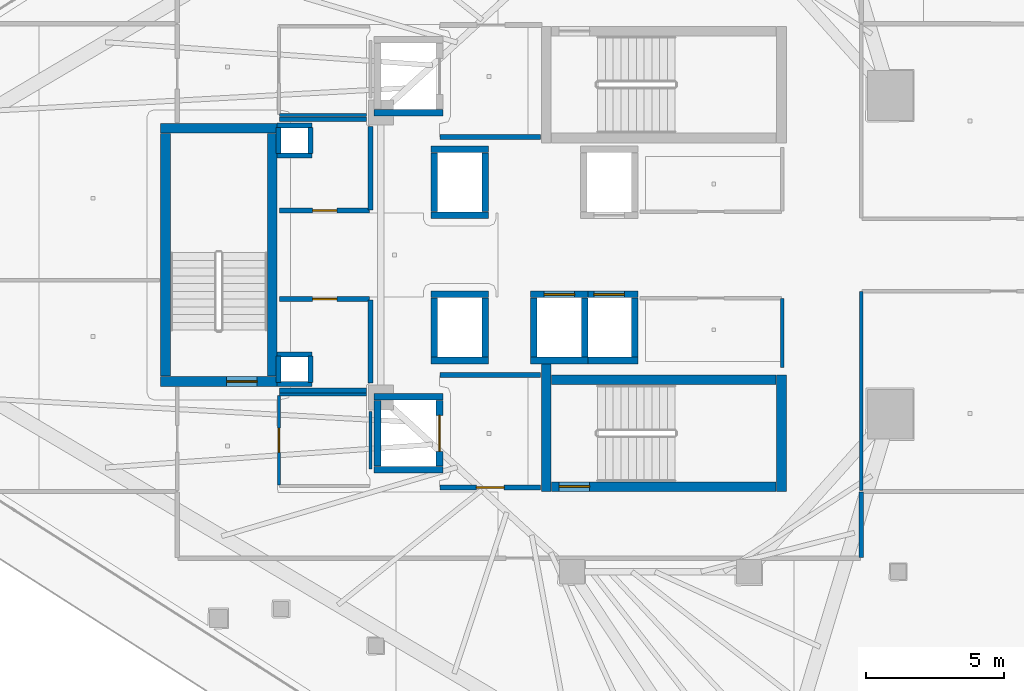
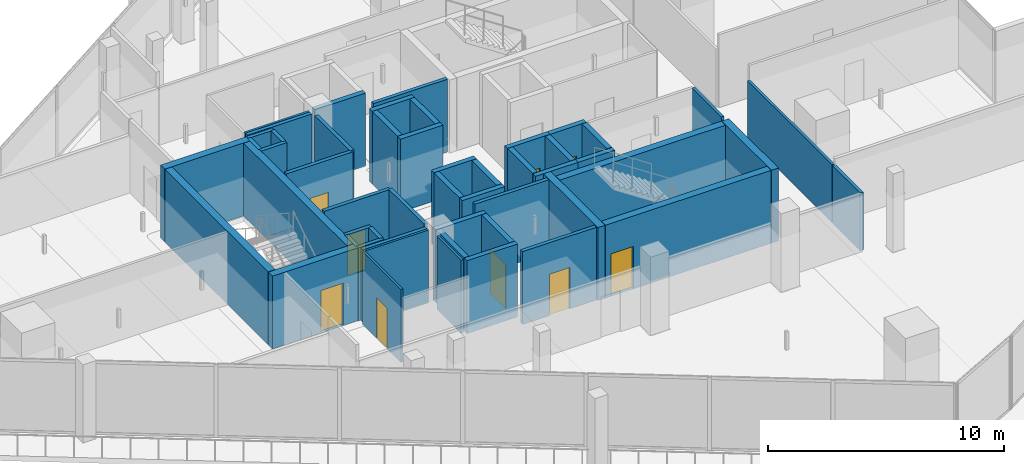
# One storey, part 21 of 30: 52 walls, 9 doors, 9 openings.
"""IFC4 building model written with IfcOpenShell, lengths in metres."""

from ifc_helpers import new_model, si_unit, direction, frame, frame_2d, origin, place, context, subcontext, project, spatial, rectangle, extrude, material, layer, layer_set, type_object, element, fill, save


model = new_model("IFC4")

# Units and contexts
model_context = context("Model", 3, precision=1e-05, world=origin(), true_north=direction((0.0, 1.0)))
body_context = subcontext(model_context, "Body", "Model", "MODEL_VIEW")
ifc_project = project(units=[si_unit("LENGTHUNIT", "METRE"), si_unit("AREAUNIT", "SQUARE_METRE"), si_unit("VOLUMEUNIT", "CUBIC_METRE"), si_unit("PLANEANGLEUNIT", "RADIAN"), si_unit("MASSUNIT", "GRAM", prefix="KILO")], contexts=[model_context])

# Site, building, storey
site_placement = place(None, origin())
site = spatial("IfcSite", under=ifc_project, at=site_placement, CompositionType="ELEMENT")
building_placement = place(site_placement, origin())
building = spatial("IfcBuilding", under=site, at=building_placement, Name="Qorvath Tower", CompositionType="ELEMENT")
storey_placement = place(building_placement, frame((0.0, 0.0, 217.199951171875)))
storey = spatial("IfcBuildingStorey", under=building, at=storey_placement, Name="L50", CompositionType="ELEMENT", Elevation=217.199951171875)

# Walls
ifc_material_1 = material(Name="Gypsum shaftliner on steel studs", Category="steel")
ifc_layer_1 = layer(ifc_material_1, 0.179931640625)
ifc_layer_set_1 = layer_set([ifc_layer_1], Name="FW-LOBBY")
wall_type_1 = type_object("IfcWallType", Name="FW-LOBBY", PredefinedType="PARTITIONING", material=ifc_layer_set_1)
for number, where, z_axis, x_axis, name in (
    (1, (-32.989990234375, 3.594970703125, 0.0), (0.0, 0.0, 1.0), (-1.0, 0.0, 0.0), "MEP Riser Shaft Enclosure Wall N-L50-S"),
    (2, (-34.260009765625, 4.675048828125, 0.0), (0.0, 0.0, 1.0), (1.0, 0.0, 0.0), "MEP Riser Shaft Enclosure Wall N-L50-N"),
):
    element("IfcWall", number, at=place(storey_placement, frame(where, z_axis=z_axis, x_axis=x_axis)), inside=storey, type_object=wall_type_1, Name=name, PredefinedType="PARTITIONING", context=body_context, shape_type="SweptSolid", body=[
        extrude(rectangle(XDim=1.27001953125, YDim=0.179931640625, at=frame_2d((0.635009765625, 0.0))), origin(), (0.0, 0.0, 1.0), 3.780029296875),
    ])
for number, where, z_axis, x_axis, name in (
    (3, (-34.205078125, 3.659912109375, 0.0), (0.0, 0.0, 1.0), (0.0, 1.0, 0.0), "MEP Riser Shaft Enclosure Wall N-L50-W"),
    (4, (-33.044921875, 4.610107421875, 0.0), (0.0, 0.0, 1.0), (0.0, -1.0, 0.0), "MEP Riser Shaft Enclosure Wall N-L50-E"),
):
    element("IfcWall", number, at=place(storey_placement, frame(where, z_axis=z_axis, x_axis=x_axis)), inside=storey, type_object=wall_type_1, Name=name, PredefinedType="PARTITIONING", context=body_context, shape_type="SweptSolid", body=[
        extrude(rectangle(XDim=0.9501953125, YDim=0.179931640625, at=frame_2d((0.47509765625, 0.0))), origin(), (0.0, 0.0, 1.0), 3.780029296875),
    ])
for number, where, z_axis, x_axis, name in (
    (5, (-32.989990234375, -4.675048828125, 0.0), (0.0, 0.0, 1.0), (-1.0, 0.0, 0.0), "MEP Riser Shaft Enclosure Wall S-L50-S"),
    (6, (-34.260009765625, -3.594970703125, 0.0), (0.0, 0.0, 1.0), (1.0, 0.0, 0.0), "MEP Riser Shaft Enclosure Wall S-L50-N"),
):
    element("IfcWall", number, at=place(storey_placement, frame(where, z_axis=z_axis, x_axis=x_axis)), inside=storey, type_object=wall_type_1, Name=name, PredefinedType="PARTITIONING", context=body_context, shape_type="SweptSolid", body=[
        extrude(rectangle(XDim=1.27001953125, YDim=0.179931640625, at=frame_2d((0.635009765625, 0.0))), origin(), (0.0, 0.0, 1.0), 3.780029296875),
    ])
for number, where, z_axis, x_axis, name in (
    (7, (-34.205078125, -4.610107421875, 0.0), (0.0, 0.0, 1.0), (0.0, 1.0, 0.0), "MEP Riser Shaft Enclosure Wall S-L50-W"),
    (8, (-33.044921875, -3.659912109375, 0.0), (0.0, 0.0, 1.0), (0.0, -1.0, 0.0), "MEP Riser Shaft Enclosure Wall S-L50-E"),
):
    element("IfcWall", number, at=place(storey_placement, frame(where, z_axis=z_axis, x_axis=x_axis)), inside=storey, type_object=wall_type_1, Name=name, PredefinedType="PARTITIONING", context=body_context, shape_type="SweptSolid", body=[
        extrude(rectangle(XDim=0.9501953125, YDim=0.179931640625, at=frame_2d((0.47509765625, 0.0))), origin(), (0.0, 0.0, 1.0), 3.780029296875),
    ])
wall_1_placement = place(storey_placement, frame((-28.35498046875, 4.25, 0.0), z_axis=(0.0, 0.0, 1.0), x_axis=(1.0, 0.0, 0.0)))
element("IfcWall", 9, at=wall_1_placement, inside=storey, type_object=wall_type_1, Name="Interior Partition IW-T1-L50-001", PredefinedType="PARTITIONING", context=body_context, shape_type="SweptSolid", body=[
    extrude(rectangle(XDim=3.6220703125, YDim=0.179931640625, at=frame_2d((1.81103515625, 0.0))), origin(), (0.0, 0.0, 1.0), 3.780029296875),
])

# Wall, opening, door
wall_2_placement = place(storey_placement, frame((-28.35498046875, -8.39990234375, 0.0), z_axis=(0.0, 0.0, 1.0), x_axis=(1.0, 0.0, 0.0)))
wall_2 = element("IfcWall", 10, at=wall_2_placement, inside=storey, type_object=wall_type_1, Name="Interior Partition IW-T1-L50-003", PredefinedType="PARTITIONING", context=body_context, shape_type="SweptSolid", body=[
    extrude(rectangle(XDim=3.6220703125, YDim=0.179931640625, at=frame_2d((1.81103515625, 0.0))), origin(), (0.0, 0.0, 1.0), 3.780029296875),
])
opening_1_placement = place(wall_2_placement, frame((1.31103515625, 0.0, 0.0)))
opening_1 = element("IfcOpeningElement", 11, at=opening_1_placement, cuts=wall_2, Name="Opening D-T1-L50-16", PredefinedType="OPENING", context=body_context, shape_type="SweptSolid", body=[
    extrude(rectangle(XDim=1.0, YDim=2.14990234375, at=frame_2d((0.5, 1.074951171875))), frame((0.0, 0.10009765625, 0.0), z_axis=(0.0, -1.0, 0.0), x_axis=(1.0, 0.0, 0.0)), (0.0, 0.0, 1.0), 0.199951171875),
])
ifc_material_2 = material(Name="Painted galvanised hollow metal", Category="steel")
door_type_1 = type_object("IfcDoorType", Name="FD-60", OperationType="NOTDEFINED", PredefinedType="DOOR", material=ifc_material_2)
door_1_placement = place(opening_1_placement, origin())
door_1 = element("IfcDoor", 12, at=door_1_placement, inside=storey, type_object=door_type_1, Name="Lobby Fire Service Elevator South Door D-T1-L50-16", OperationType="SINGLE_SWING_LEFT", OverallHeight=2.14990234375, OverallWidth=1.0, PredefinedType="DOOR", context=body_context, shape_type="SweptSolid", body=[
    extrude(rectangle(XDim=1.0, YDim=2.14990234375, at=frame_2d((0.5, 1.074951171875))), frame((0.0, 0.02490234375, 0.0), z_axis=(0.0, -1.0, 0.0), x_axis=(1.0, 0.0, 0.0)), (0.0, 0.0, 1.0), 0.050048828125),
])
fill(opening_1, door_1)

# Wall
wall_3_placement = place(storey_placement, frame((-24.73291015625, -4.35009765625, 0.0), z_axis=(0.0, 0.0, 1.0), x_axis=(-1.0, 0.0, 0.0)))
element("IfcWall", 13, at=wall_3_placement, inside=storey, type_object=wall_type_1, Name="Interior Partition IW-T1-L50-004", PredefinedType="PARTITIONING", context=body_context, shape_type="SweptSolid", body=[
    extrude(rectangle(XDim=3.6220703125, YDim=0.179931640625, at=frame_2d((1.81103515625, 0.0))), origin(), (0.0, 0.0, 1.0), 3.780029296875),
])

# Wall, opening, door
wall_4_placement = place(storey_placement, frame((-34.15478515625, 1.60009765625, 0.0), z_axis=(0.0, 0.0, 1.0), x_axis=(1.0, 0.0, 0.0)))
wall_4 = element("IfcWall", 14, at=wall_4_placement, inside=storey, type_object=wall_type_1, Name="Interior Partition IW-T1-L50-017", PredefinedType="PARTITIONING", context=body_context, shape_type="SweptSolid", body=[
    extrude(rectangle(XDim=3.25, YDim=0.179931640625, at=frame_2d((1.625, 0.0))), origin(), (0.0, 0.0, 1.0), 3.780029296875),
])
opening_2_placement = place(wall_4_placement, frame((1.18505859375, 0.0, 0.0)))
opening_2 = element("IfcOpeningElement", 15, at=opening_2_placement, cuts=wall_4, Name="Opening D-T1-L50-05", PredefinedType="OPENING", context=body_context, shape_type="SweptSolid", body=[
    extrude(rectangle(XDim=0.8798828125, YDim=2.10009765625, at=frame_2d((0.43994140625, 1.050048828125))), frame((0.0, 0.10009765625, 0.0), z_axis=(0.0, -1.0, 0.0), x_axis=(1.0, 0.0, 0.0)), (0.0, 0.0, 1.0), 0.199951171875),
])
ifc_material_3 = material(Name="Painted galvanised hollow metal", Category="steel")
door_type_2 = type_object("IfcDoorType", Name="FD-60N", OperationType="NOTDEFINED", PredefinedType="DOOR", material=ifc_material_3)
door_2_placement = place(opening_2_placement, origin())
door_2 = element("IfcDoor", 16, at=door_2_placement, inside=storey, type_object=door_type_2, Name="Core cleaner and custodial room L50 Door D-T1-L50-05", OperationType="SINGLE_SWING_RIGHT", OverallHeight=2.10009765625, OverallWidth=0.8798828125, PredefinedType="DOOR", context=body_context, shape_type="SweptSolid", body=[
    extrude(rectangle(XDim=0.8798828125, YDim=2.10009765625, at=frame_2d((0.43994140625, 1.050048828125))), frame((0.0, 0.02490234375, 0.0), z_axis=(0.0, -1.0, 0.0), x_axis=(1.0, 0.0, 0.0)), (0.0, 0.0, 1.0), 0.050048828125),
])
fill(opening_2, door_2)

# Walls
wall_5_placement = place(storey_placement, frame((-30.8798828125, 1.625, 0.0), z_axis=(0.0, 0.0, 1.0), x_axis=(0.0, 1.0, 0.0)))
element("IfcWall", 17, at=wall_5_placement, inside=storey, type_object=wall_type_1, Name="Interior Partition IW-T1-L50-018", PredefinedType="PARTITIONING", context=body_context, shape_type="SweptSolid", body=[
    extrude(rectangle(XDim=3.010009765625, YDim=0.179931640625, at=frame_2d((1.5048828125, 0.0))), origin(), (0.0, 0.0, 1.0), 3.780029296875),
])
for number, where, z_axis, x_axis, name in (
    (18, (-31.014892578125, 4.89990234375, 0.0), (0.0, 0.0, 1.0), (-1.0, 0.0, 0.0), "Interior Partition IW-T1-L50-019"),
    (19, (-34.15478515625, -4.89990234375, 0.0), (0.0, 0.0, 1.0), (1.0, 0.0, 0.0), "Interior Partition IW-T1-L50-020"),
):
    element("IfcWall", number, at=place(storey_placement, frame(where, z_axis=z_axis, x_axis=x_axis)), inside=storey, type_object=wall_type_1, Name=name, PredefinedType="PARTITIONING", context=body_context, shape_type="SweptSolid", body=[
        extrude(rectangle(XDim=3.139892578125, YDim=0.179931640625, at=frame_2d((1.56982421875, 0.0))), origin(), (0.0, 0.0, 1.0), 3.780029296875),
    ])
wall_6_placement = place(storey_placement, frame((-30.8798828125, -4.635009765625, 0.0), z_axis=(0.0, 0.0, 1.0), x_axis=(0.0, 1.0, 0.0)))
element("IfcWall", 20, at=wall_6_placement, inside=storey, type_object=wall_type_1, Name="Interior Partition IW-T1-L50-021", PredefinedType="PARTITIONING", context=body_context, shape_type="SweptSolid", body=[
    extrude(rectangle(XDim=3.010009765625, YDim=0.179931640625, at=frame_2d((1.5048828125, 0.0))), origin(), (0.0, 0.0, 1.0), 3.780029296875),
])

# Wall, opening, door
wall_7_placement = place(storey_placement, frame((-30.90478515625, -1.60009765625, 0.0), z_axis=(0.0, 0.0, 1.0), x_axis=(-1.0, 0.0, 0.0)))
wall_7 = element("IfcWall", 21, at=wall_7_placement, inside=storey, type_object=wall_type_1, Name="Interior Partition IW-T1-L50-022", PredefinedType="PARTITIONING", context=body_context, shape_type="SweptSolid", body=[
    extrude(rectangle(XDim=3.25, YDim=0.179931640625, at=frame_2d((1.625, 0.0))), origin(), (0.0, 0.0, 1.0), 3.780029296875),
])
opening_3_placement = place(wall_7_placement, frame((1.18505859375, 0.0, 0.0)))
opening_3 = element("IfcOpeningElement", 22, at=opening_3_placement, cuts=wall_7, Name="Opening D-T1-L50-06", PredefinedType="OPENING", context=body_context, shape_type="SweptSolid", body=[
    extrude(rectangle(XDim=0.8798828125, YDim=2.10009765625, at=frame_2d((0.43994140625, 1.050048828125))), frame((0.0, 0.10009765625, 0.0), z_axis=(0.0, -1.0, 0.0), x_axis=(1.0, 0.0, 0.0)), (0.0, 0.0, 1.0), 0.199951171875),
])
door_3_placement = place(opening_3_placement, origin())
door_3 = element("IfcDoor", 23, at=door_3_placement, inside=storey, type_object=door_type_2, Name="Core electrical room L50 Door D-T1-L50-06", OperationType="SINGLE_SWING_LEFT", OverallHeight=2.10009765625, OverallWidth=0.8798828125, PredefinedType="DOOR", context=body_context, shape_type="SweptSolid", body=[
    extrude(rectangle(XDim=0.8798828125, YDim=2.10009765625, at=frame_2d((0.43994140625, 1.050048828125))), frame((0.0, 0.02490234375, 0.0), z_axis=(0.0, -1.0, 0.0), x_axis=(1.0, 0.0, 0.0)), (0.0, 0.0, 1.0), 0.050048828125),
])
fill(opening_3, door_3)

# Walls
ifc_material_4 = material(Name="Double acoustic gypsum board on steel studs", Category="steel")
ifc_layer_2 = layer(ifc_material_4, 0.159912109375)
ifc_layer_set_2 = layer_set([ifc_layer_2], Name="IW-ACOUSTIC-160")
wall_type_2 = type_object("IfcWallType", Name="IW-ACOUSTIC-160", PredefinedType="PARTITIONING", material=ifc_layer_set_2)
wall_8_placement = place(storey_placement, frame((-13.14208984375, -10.93310546875, 0.0), z_axis=(0.0, 0.0, 1.0), x_axis=(0.0, 1.0, 0.0)))
element("IfcWall", 24, at=wall_8_placement, inside=storey, type_object=wall_type_2, Name="Interior Partition IW-T1-L50-033", PredefinedType="PARTITIONING", context=body_context, shape_type="SweptSolid", body=[
    extrude(rectangle(XDim=2.358154296875, YDim=0.159912109375, at=frame_2d((1.17919921875, 0.0))), origin(), (0.0, 0.0, 1.0), 3.0),
])
ifc_material_5 = material(Name="Gypsum board on metal studs with mineral wool", Category="gypsum")
ifc_layer_3 = layer(ifc_material_5, 0.125)
ifc_layer_set_3 = layer_set([ifc_layer_3], Name="IW-PART-125")
wall_type_3 = type_object("IfcWallType", Name="IW-PART-125", PredefinedType="PARTITIONING", material=ifc_layer_set_3)
wall_9_placement = place(storey_placement, frame((-16.0, -4.0751953125, 0.0), z_axis=(0.0, 0.0, 1.0), x_axis=(0.0, 1.0, 0.0)))
element("IfcWall", 25, at=wall_9_placement, inside=storey, type_object=wall_type_3, Name="Interior Partition IW-T1-L50-015", PredefinedType="PARTITIONING", context=body_context, shape_type="SweptSolid", body=[
    extrude(rectangle(XDim=2.489990234375, YDim=0.125, at=frame_2d((1.2451171875, 0.0))), origin(), (0.0, 0.0, 1.0), 3.780029296875),
])
wall_10_placement = place(storey_placement, frame((-13.14208984375, -1.3330078125, 0.0), z_axis=(0.0, 0.0, 1.0), x_axis=(0.0, -1.0, 0.0)))
element("IfcWall", 26, at=wall_10_placement, inside=storey, type_object=wall_type_3, Name="Interior Partition IW-T1-L50-038", PredefinedType="PARTITIONING", context=body_context, shape_type="SweptSolid", body=[
    extrude(rectangle(XDim=7.18408203125, YDim=0.125, at=frame_2d((3.592041015625, 0.0))), origin(), (0.0, 0.0, 1.0), 3.0),
])
ifc_material_6 = material(Name="Moisture-resistant cement board on metal studs", Category="gypsum")
ifc_layer_4 = layer(ifc_material_6, 0.110107421875)
ifc_layer_set_4 = layer_set([ifc_layer_4], Name="IW-WC-110")
wall_type_4 = type_object("IfcWallType", Name="IW-WC-110", PredefinedType="PARTITIONING", material=ifc_layer_set_4)
wall_11_placement = place(storey_placement, frame((-34.15478515625, 5.050048828125, 0.0), z_axis=(0.0, 0.0, 1.0), x_axis=(1.0, 0.0, 0.0)))
element("IfcWall", 27, at=wall_11_placement, inside=storey, type_object=wall_type_4, Name="Interior Partition IW-T1-L50-006", PredefinedType="PARTITIONING", context=body_context, shape_type="SweptSolid", body=[
    extrude(rectangle(XDim=3.139892578125, YDim=0.110107421875, at=frame_2d((1.56982421875, 0.0))), origin(), (0.0, 0.0, 1.0), 3.780029296875),
])
wall_12_placement = place(storey_placement, frame((-30.8798828125, -7.742919921875, 0.0), z_axis=(0.0, 0.0, 1.0), x_axis=(0.0, 1.0, 0.0)))
element("IfcWall", 28, at=wall_12_placement, inside=storey, type_object=wall_type_4, Name="Interior Partition IW-T1-L50-010", PredefinedType="PARTITIONING", context=body_context, shape_type="SweptSolid", body=[
    extrude(rectangle(XDim=2.077880859375, YDim=0.110107421875, at=frame_2d((1.0390625, 0.0))), origin(), (0.0, 0.0, 1.0), 3.780029296875),
])
wall_13_placement = place(storey_placement, frame((-31.014892578125, -5.050048828125, 0.0), z_axis=(0.0, 0.0, 1.0), x_axis=(-1.0, 0.0, 0.0)))
element("IfcWall", 29, at=wall_13_placement, inside=storey, type_object=wall_type_4, Name="Interior Partition IW-T1-L50-011", PredefinedType="PARTITIONING", context=body_context, shape_type="SweptSolid", body=[
    extrude(rectangle(XDim=3.139892578125, YDim=0.110107421875, at=frame_2d((1.56982421875, 0.0))), origin(), (0.0, 0.0, 1.0), 3.780029296875),
])

# Wall, opening, door
wall_14_placement = place(storey_placement, frame((-34.179931640625, -5.074951171875, 0.0), z_axis=(0.0, 0.0, 1.0), x_axis=(0.0, -1.0, 0.0)))
wall_14 = element("IfcWall", 30, at=wall_14_placement, inside=storey, type_object=wall_type_4, Name="Interior Partition IW-T1-L50-012", PredefinedType="PARTITIONING", context=body_context, shape_type="SweptSolid", body=[
    extrude(rectangle(XDim=3.250244140625, YDim=0.110107421875, at=frame_2d((1.625, 0.0))), origin(), (0.0, 0.0, 1.0), 3.780029296875),
])
opening_4_placement = place(wall_14_placement, frame((1.18505859375, 0.0, 0.0)))
opening_4 = element("IfcOpeningElement", 31, at=opening_4_placement, cuts=wall_14, Name="Opening D-T1-L50-02", PredefinedType="OPENING", context=body_context, shape_type="SweptSolid", body=[
    extrude(rectangle(XDim=0.8798828125, YDim=2.10009765625, at=frame_2d((0.43994140625, 1.050048828125))), frame((0.0, 0.06494140625, 0.0), z_axis=(0.0, -1.0, 0.0), x_axis=(1.0, 0.0, 0.0)), (0.0, 0.0, 1.0), 0.130126953125),
])
ifc_material_7 = material(Name="Solid-core oak with acoustic drop seal", Category="wood")
door_type_3 = type_object("IfcDoorType", Name="D-02", OperationType="NOTDEFINED", PredefinedType="DOOR", material=ifc_material_7)
door_4_placement = place(opening_4_placement, origin())
door_4 = element("IfcDoor", 32, at=door_4_placement, inside=storey, type_object=door_type_3, Name="Accessible WC South L50 Door D-T1-L50-02", OperationType="SINGLE_SWING_LEFT", OverallHeight=2.10009765625, OverallWidth=0.8798828125, PredefinedType="DOOR", context=body_context, shape_type="SweptSolid", body=[
    extrude(rectangle(XDim=0.8798828125, YDim=2.10009765625, at=frame_2d((0.43994140625, 1.050048828125))), frame((0.0, 0.02490234375, 0.0), z_axis=(0.0, -1.0, 0.0), x_axis=(1.0, 0.0, 0.0)), (0.0, 0.0, 1.0), 0.050048828125),
])
fill(opening_4, door_4)

# Walls
ifc_material_8 = material(Name="Concrete C60/75", Category="concrete")
ifc_layer_5 = layer(ifc_material_8, 0.260009765625)
ifc_layer_set_5 = layer_set([ifc_layer_5], Name="SW-SHAFT")
wall_type_5 = type_object("IfcWallType", Name="SW-SHAFT", PredefinedType="SHEAR", material=ifc_layer_set_5)
for number, where, z_axis, x_axis, name in (
    (33, (-28.260009765625, 5.1298828125, 0.0), (0.0, 0.0, 1.0), (-1.0, 0.0, 0.0), "Hoistway Wall FSAE-1 L50 S"),
    (34, (-28.260009765625, -7.77001953125, 0.0), (0.0, 0.0, 1.0), (-1.0, 0.0, 0.0), "Hoistway Wall FSAE-2 L50 S"),
    (35, (-30.739990234375, -5.1298828125, 0.0), (0.0, 0.0, 1.0), (1.0, 0.0, 0.0), "Hoistway Wall FSAE-2 L50 N"),
):
    element("IfcWall", number, at=place(storey_placement, frame(where, z_axis=z_axis, x_axis=x_axis)), inside=storey, type_object=wall_type_5, Name=name, PredefinedType="SHEAR", context=body_context, shape_type="SweptSolid", body=[
        extrude(rectangle(XDim=2.47998046875, YDim=0.239990234375, at=frame_2d((1.239990234375, 0.0))), origin(), (0.0, 0.0, 1.0), 3.780029296875),
    ])
wall_15_placement = place(storey_placement, frame((-30.6201171875, -7.637939453125, 0.0), z_axis=(0.0, 0.0, 1.0), x_axis=(0.0, 1.0, 0.0)))
element("IfcWall", 36, at=wall_15_placement, inside=storey, type_object=wall_type_5, Name="Hoistway Wall FSAE-2 L50 W", PredefinedType="SHEAR", context=body_context, shape_type="SweptSolid", body=[
    extrude(rectangle(XDim=2.3759765625, YDim=0.239990234375, at=frame_2d((1.18798828125, 0.0))), origin(), (0.0, 0.0, 1.0), 3.780029296875),
])

# Wall, opening, door
wall_16_placement = place(storey_placement, frame((-28.3798828125, -5.261962890625, 0.0), z_axis=(0.0, 0.0, 1.0), x_axis=(0.0, -1.0, 0.0)))
wall_16 = element("IfcWall", 37, at=wall_16_placement, inside=storey, type_object=wall_type_5, Name="Hoistway Wall FSAE-2 L50 E", PredefinedType="SHEAR", context=body_context, shape_type="SweptSolid", body=[
    extrude(rectangle(XDim=2.3759765625, YDim=0.239990234375, at=frame_2d((1.18798828125, 0.0))), origin(), (0.0, 0.0, 1.0), 3.780029296875),
])
opening_5_placement = place(wall_16_placement, frame((0.5380859375, 0.0, 0.0)))
opening_5 = element("IfcOpeningElement", 38, at=opening_5_placement, cuts=wall_16, Name="Opening LD-FSAE-2-L50", PredefinedType="OPENING", context=body_context, shape_type="SweptSolid", body=[
    extrude(rectangle(XDim=1.300048828125, YDim=2.300048828125, at=frame_2d((0.64990234375, 1.14990234375))), frame((0.0, 0.1298828125, 0.0), z_axis=(0.0, -1.0, 0.0), x_axis=(1.0, 0.0, 0.0)), (0.0, 0.0, 1.0), 0.260009765625),
])
ifc_material_9 = material(Name="Brushed stainless steel AISI 316", Category="steel")
door_type_4 = type_object("IfcDoorType", Name="LD-02", OperationType="NOTDEFINED", PredefinedType="DOOR", material=ifc_material_9)
door_5_placement = place(opening_5_placement, origin())
door_5 = element("IfcDoor", 39, at=door_5_placement, inside=storey, type_object=door_type_4, Name="Elevator Landing Sliding Door LD-FSAE-2-L50", OperationType="DOUBLE_DOOR_SLIDING", OverallHeight=2.300048828125, OverallWidth=1.300048828125, PredefinedType="DOOR", context=body_context, shape_type="SweptSolid", body=[
    extrude(rectangle(XDim=1.300048828125, YDim=2.300048828125, at=frame_2d((0.64990234375, 1.14990234375))), frame((0.0, 0.02490234375, 0.0), z_axis=(0.0, -1.0, 0.0), x_axis=(1.0, 0.0, 0.0)), (0.0, 0.0, 1.0), 0.050048828125),
])
fill(opening_5, door_5)

# Walls
for number, where, z_axis, x_axis, name in (
    (40, (-26.610107421875, 1.429931640625, 0.0), (0.0, 0.0, 1.0), (-1.0, 0.0, 0.0), "Hoistway Wall PS-1 L50 S"),
    (41, (-28.68994140625, 3.820068359375, 0.0), (0.0, 0.0, 1.0), (1.0, 0.0, 0.0), "Hoistway Wall PS-1 L50 N"),
):
    element("IfcWall", number, at=place(storey_placement, frame(where, z_axis=z_axis, x_axis=x_axis)), inside=storey, type_object=wall_type_5, Name=name, PredefinedType="SHEAR", context=body_context, shape_type="SweptSolid", body=[
        extrude(rectangle(XDim=2.079833984375, YDim=0.239990234375, at=frame_2d((1.0400390625, 0.0))), origin(), (0.0, 0.0, 1.0), 3.780029296875),
    ])
for number, where, z_axis, x_axis, name in (
    (42, (-28.570068359375, 1.56201171875, 0.0), (0.0, 0.0, 1.0), (0.0, 1.0, 0.0), "Hoistway Wall PS-1 L50 W"),
    (43, (-26.72998046875, 3.68798828125, 0.0), (0.0, 0.0, 1.0), (0.0, -1.0, 0.0), "Hoistway Wall PS-1 L50 E"),
):
    element("IfcWall", number, at=place(storey_placement, frame(where, z_axis=z_axis, x_axis=x_axis)), inside=storey, type_object=wall_type_5, Name=name, PredefinedType="SHEAR", context=body_context, shape_type="SweptSolid", body=[
        extrude(rectangle(XDim=2.1259765625, YDim=0.239990234375, at=frame_2d((1.06298828125, 0.0))), origin(), (0.0, 0.0, 1.0), 3.780029296875),
    ])
for number, where, z_axis, x_axis, name in (
    (44, (-26.610107421875, -3.820068359375, 0.0), (0.0, 0.0, 1.0), (-1.0, 0.0, 0.0), "Hoistway Wall PS-2 L50 S"),
    (45, (-28.68994140625, -1.429931640625, 0.0), (0.0, 0.0, 1.0), (1.0, 0.0, 0.0), "Hoistway Wall PS-2 L50 N"),
):
    element("IfcWall", number, at=place(storey_placement, frame(where, z_axis=z_axis, x_axis=x_axis)), inside=storey, type_object=wall_type_5, Name=name, PredefinedType="SHEAR", context=body_context, shape_type="SweptSolid", body=[
        extrude(rectangle(XDim=2.079833984375, YDim=0.239990234375, at=frame_2d((1.0400390625, 0.0))), origin(), (0.0, 0.0, 1.0), 3.780029296875),
    ])
for number, where, z_axis, x_axis, name in (
    (46, (-28.570068359375, -3.68798828125, 0.0), (0.0, 0.0, 1.0), (0.0, 1.0, 0.0), "Hoistway Wall PS-2 L50 W"),
    (47, (-26.72998046875, -1.56201171875, 0.0), (0.0, 0.0, 1.0), (0.0, -1.0, 0.0), "Hoistway Wall PS-2 L50 E"),
):
    element("IfcWall", number, at=place(storey_placement, frame(where, z_axis=z_axis, x_axis=x_axis)), inside=storey, type_object=wall_type_5, Name=name, PredefinedType="SHEAR", context=body_context, shape_type="SweptSolid", body=[
        extrude(rectangle(XDim=2.1259765625, YDim=0.239990234375, at=frame_2d((1.06298828125, 0.0))), origin(), (0.0, 0.0, 1.0), 3.780029296875),
    ])
wall_17_placement = place(storey_placement, frame((-23.010009765625, -3.820068359375, 0.0), z_axis=(0.0, 0.0, 1.0), x_axis=(-1.0, 0.0, 0.0)))
element("IfcWall", 48, at=wall_17_placement, inside=storey, type_object=wall_type_5, Name="Hoistway Wall PU-2 L50 S", PredefinedType="SHEAR", context=body_context, shape_type="SweptSolid", body=[
    extrude(rectangle(XDim=2.080078125, YDim=0.239990234375, at=frame_2d((1.0400390625, 0.0))), origin(), (0.0, 0.0, 1.0), 3.780029296875),
])

# Wall, opening, door
wall_18_placement = place(storey_placement, frame((-25.090087890625, -1.429931640625, 0.0), z_axis=(0.0, 0.0, 1.0), x_axis=(1.0, 0.0, 0.0)))
wall_18 = element("IfcWall", 49, at=wall_18_placement, inside=storey, type_object=wall_type_5, Name="Hoistway Wall PU-2 L50 N", PredefinedType="SHEAR", context=body_context, shape_type="SweptSolid", body=[
    extrude(rectangle(XDim=2.080078125, YDim=0.239990234375, at=frame_2d((1.0400390625, 0.0))), origin(), (0.0, 0.0, 1.0), 3.780029296875),
])
opening_6_placement = place(wall_18_placement, frame((0.489990234375, 0.0, 0.0)))
opening_6 = element("IfcOpeningElement", 50, at=opening_6_placement, cuts=wall_18, Name="Opening LD-PU-2-L50", PredefinedType="OPENING", context=body_context, shape_type="SweptSolid", body=[
    extrude(rectangle(XDim=1.10009765625, YDim=2.199951171875, at=frame_2d((0.550048828125, 1.10009765625))), frame((0.0, 0.1298828125, 0.0), z_axis=(0.0, -1.0, 0.0), x_axis=(1.0, 0.0, 0.0)), (0.0, 0.0, 1.0), 0.260009765625),
])
ifc_material_10 = material(Name="Brushed stainless steel AISI 316", Category="steel")
door_type_5 = type_object("IfcDoorType", Name="LD-01", OperationType="NOTDEFINED", PredefinedType="DOOR", material=ifc_material_10)
door_6_placement = place(opening_6_placement, origin())
door_6 = element("IfcDoor", 51, at=door_6_placement, inside=storey, type_object=door_type_5, Name="Elevator Landing Sliding Door LD-PU-2-L50", OperationType="DOUBLE_DOOR_SLIDING", OverallHeight=2.199951171875, OverallWidth=1.10009765625, PredefinedType="DOOR", context=body_context, shape_type="SweptSolid", body=[
    extrude(rectangle(XDim=1.10009765625, YDim=2.199951171875, at=frame_2d((0.550048828125, 1.10009765625))), frame((0.0, 0.02490234375, 0.0), z_axis=(0.0, -1.0, 0.0), x_axis=(1.0, 0.0, 0.0)), (0.0, 0.0, 1.0), 0.050048828125),
])
fill(opening_6, door_6)

# Walls
for number, where, z_axis, x_axis, name in (
    (52, (-24.969970703125, -3.68798828125, 0.0), (0.0, 0.0, 1.0), (0.0, 1.0, 0.0), "Hoistway Wall PU-2 L50 W"),
    (53, (-23.1298828125, -1.56201171875, 0.0), (0.0, 0.0, 1.0), (0.0, -1.0, 0.0), "Hoistway Wall PU-2 L50 E"),
):
    element("IfcWall", number, at=place(storey_placement, frame(where, z_axis=z_axis, x_axis=x_axis)), inside=storey, type_object=wall_type_5, Name=name, PredefinedType="SHEAR", context=body_context, shape_type="SweptSolid", body=[
        extrude(rectangle(XDim=2.1259765625, YDim=0.239990234375, at=frame_2d((1.06298828125, 0.0))), origin(), (0.0, 0.0, 1.0), 3.780029296875),
    ])
wall_19_placement = place(storey_placement, frame((-21.2099609375, -3.820068359375, 0.0), z_axis=(0.0, 0.0, 1.0), x_axis=(-1.0, 0.0, 0.0)))
element("IfcWall", 54, at=wall_19_placement, inside=storey, type_object=wall_type_5, Name="Hoistway Wall PU-3 L50 S", PredefinedType="SHEAR", context=body_context, shape_type="SweptSolid", body=[
    extrude(rectangle(XDim=1.800048828125, YDim=0.239990234375, at=frame_2d((0.89990234375, 0.0))), origin(), (0.0, 0.0, 1.0), 3.780029296875),
])

# Wall, opening, door
wall_20_placement = place(storey_placement, frame((-23.010009765625, -1.429931640625, 0.0), z_axis=(0.0, 0.0, 1.0), x_axis=(1.0, 0.0, 0.0)))
wall_20 = element("IfcWall", 55, at=wall_20_placement, inside=storey, type_object=wall_type_5, Name="Hoistway Wall PU-3 L50 N", PredefinedType="SHEAR", context=body_context, shape_type="SweptSolid", body=[
    extrude(rectangle(XDim=1.800048828125, YDim=0.239990234375, at=frame_2d((0.89990234375, 0.0))), origin(), (0.0, 0.0, 1.0), 3.780029296875),
])
opening_7_placement = place(wall_20_placement, frame((0.2099609375, 0.0, 0.0)))
opening_7 = element("IfcOpeningElement", 56, at=opening_7_placement, cuts=wall_20, Name="Opening LD-PU-3-L50", PredefinedType="OPENING", context=body_context, shape_type="SweptSolid", body=[
    extrude(rectangle(XDim=1.10009765625, YDim=2.199951171875, at=frame_2d((0.550048828125, 1.10009765625))), frame((0.0, 0.1298828125, 0.0), z_axis=(0.0, -1.0, 0.0), x_axis=(1.0, 0.0, 0.0)), (0.0, 0.0, 1.0), 0.260009765625),
])
door_7_placement = place(opening_7_placement, origin())
door_7 = element("IfcDoor", 57, at=door_7_placement, inside=storey, type_object=door_type_5, Name="Elevator Landing Sliding Door LD-PU-3-L50", OperationType="DOUBLE_DOOR_SLIDING", OverallHeight=2.199951171875, OverallWidth=1.10009765625, PredefinedType="DOOR", context=body_context, shape_type="SweptSolid", body=[
    extrude(rectangle(XDim=1.10009765625, YDim=2.199951171875, at=frame_2d((0.550048828125, 1.10009765625))), frame((0.0, 0.02490234375, 0.0), z_axis=(0.0, -1.0, 0.0), x_axis=(1.0, 0.0, 0.0)), (0.0, 0.0, 1.0), 0.050048828125),
])
fill(opening_7, door_7)

# Walls
wall_21_placement = place(storey_placement, frame((-21.330078125, -1.56201171875, 0.0), z_axis=(0.0, 0.0, 1.0), x_axis=(0.0, -1.0, 0.0)))
element("IfcWall", 58, at=wall_21_placement, inside=storey, type_object=wall_type_5, Name="Hoistway Wall PU-3 L50 E", PredefinedType="SHEAR", context=body_context, shape_type="SweptSolid", body=[
    extrude(rectangle(XDim=2.1259765625, YDim=0.239990234375, at=frame_2d((1.06298828125, 0.0))), origin(), (0.0, 0.0, 1.0), 3.780029296875),
])
ifc_material_11 = material(Name="Concrete C60/75", Category="concrete")
ifc_layer_6 = layer(ifc_material_11, 0.35009765625)
ifc_layer_set_6 = layer_set([ifc_layer_6], Name="SW-STAIR")
wall_type_6 = type_object("IfcWallType", Name="SW-STAIR", PredefinedType="SHEAR", material=ifc_layer_set_6)
wall_22_placement = place(storey_placement, frame((-24.52490234375, -3.93994140625, 0.0), z_axis=(0.0, 0.0, 1.0), x_axis=(0.0, -1.0, 0.0)))
element("IfcWall", 59, at=wall_22_placement, inside=storey, type_object=wall_type_6, Name="Stair TS2 Shear Wall L50 NEAR", PredefinedType="SHEAR", context=body_context, shape_type="SweptSolid", body=[
    extrude(rectangle(XDim=4.610107421875, YDim=0.35009765625, at=frame_2d((2.30517578125, 0.0))), origin(), (0.0, 0.0, 1.0), 3.780029296875),
])
wall_23_placement = place(storey_placement, frame((-16.02490234375, -8.550048828125, 0.0), z_axis=(0.0, 0.0, 1.0), x_axis=(0.0, 1.0, 0.0)))
element("IfcWall", 60, at=wall_23_placement, inside=storey, type_object=wall_type_6, Name="Stair TS2 Shear Wall L50 FAR", PredefinedType="SHEAR", context=body_context, shape_type="SweptSolid", body=[
    extrude(rectangle(XDim=4.2099609375, YDim=0.35009765625, at=frame_2d((2.10498046875, 0.0))), origin(), (0.0, 0.0, 1.0), 3.780029296875),
])

# Wall, opening, door
wall_24_placement = place(storey_placement, frame((-24.3349609375, -8.375, 0.0), z_axis=(0.0, 0.0, 1.0), x_axis=(1.0, 0.0, 0.0)))
wall_24 = element("IfcWall", 61, at=wall_24_placement, inside=storey, type_object=wall_type_6, Name="Stair TS2 Shear Wall L50 LEFT", PredefinedType="SHEAR", context=body_context, shape_type="SweptSolid", body=[
    extrude(rectangle(XDim=8.119873046875, YDim=0.35009765625, at=frame_2d((4.06005859375, 0.0))), origin(), (0.0, 0.0, 1.0), 3.780029296875),
])
opening_8_placement = place(wall_24_placement, frame((0.280029296875, 0.0, 0.0)))
opening_8 = element("IfcOpeningElement", 62, at=opening_8_placement, cuts=wall_24, Name="Opening D-TS2-L50", PredefinedType="OPENING", context=body_context, shape_type="SweptSolid", body=[
    extrude(rectangle(XDim=1.10009765625, YDim=2.199951171875, at=frame_2d((0.550048828125, 1.10009765625))), frame((0.0, 0.18505859375, 0.0), z_axis=(0.0, -1.0, 0.0), x_axis=(1.0, 0.0, 0.0)), (0.0, 0.0, 1.0), 0.3701171875),
])
ifc_material_12 = material(Name="Painted galvanised hollow metal", Category="steel")
door_type_6 = type_object("IfcDoorType", Name="FD-90", OperationType="NOTDEFINED", PredefinedType="DOOR", material=ifc_material_12)
door_8_placement = place(opening_8_placement, origin())
door_8 = element("IfcDoor", 63, at=door_8_placement, inside=storey, type_object=door_type_6, Name="Stair TS2 Fire Door L50", OperationType="SINGLE_SWING_LEFT", OverallHeight=2.199951171875, OverallWidth=1.10009765625, PredefinedType="DOOR", context=body_context, shape_type="SweptSolid", body=[
    extrude(rectangle(XDim=1.10009765625, YDim=2.199951171875, at=frame_2d((0.550048828125, 1.10009765625))), frame((0.0, 0.02490234375, 0.0), z_axis=(0.0, -1.0, 0.0), x_axis=(1.0, 0.0, 0.0)), (0.0, 0.0, 1.0), 0.050048828125),
])
fill(opening_8, door_8)

# Wall
wall_25_placement = place(storey_placement, frame((-16.215087890625, -4.514892578125, 0.0), z_axis=(0.0, 0.0, 1.0), x_axis=(-1.0, 0.0, 0.0)))
element("IfcWall", 64, at=wall_25_placement, inside=storey, type_object=wall_type_6, Name="Stair TS2 Shear Wall L50 RIGHT", PredefinedType="SHEAR", context=body_context, shape_type="SweptSolid", body=[
    extrude(rectangle(XDim=8.119873046875, YDim=0.35009765625, at=frame_2d((4.06005859375, 0.0))), origin(), (0.0, 0.0, 1.0), 3.780029296875),
])

# Wall, opening, door
wall_26_placement = place(storey_placement, frame((-38.4599609375, -4.574951171875, 0.0), z_axis=(0.0, 0.0, 1.0), x_axis=(1.0, 0.0, 0.0)))
wall_26 = element("IfcWall", 65, at=wall_26_placement, inside=storey, type_object=wall_type_6, Name="Stair TS3 Shear Wall L50 NEAR", PredefinedType="SHEAR", context=body_context, shape_type="SweptSolid", body=[
    extrude(rectangle(XDim=4.2099609375, YDim=0.35009765625, at=frame_2d((2.10498046875, 0.0))), origin(), (0.0, 0.0, 1.0), 3.780029296875),
])
opening_9_placement = place(wall_26_placement, frame((2.389892578125, 0.0, 0.0)))
opening_9 = element("IfcOpeningElement", 66, at=opening_9_placement, cuts=wall_26, Name="Opening D-TS3-L50", PredefinedType="OPENING", context=body_context, shape_type="SweptSolid", body=[
    extrude(rectangle(XDim=1.10009765625, YDim=2.199951171875, at=frame_2d((0.550048828125, 1.10009765625))), frame((0.0, 0.18505859375, 0.0), z_axis=(0.0, -1.0, 0.0), x_axis=(1.0, 0.0, 0.0)), (0.0, 0.0, 1.0), 0.3701171875),
])
door_9_placement = place(opening_9_placement, origin())
door_9 = element("IfcDoor", 67, at=door_9_placement, inside=storey, type_object=door_type_6, Name="Stair TS3 Fire Door L50", OperationType="SINGLE_SWING_LEFT", OverallHeight=2.199951171875, OverallWidth=1.10009765625, PredefinedType="DOOR", context=body_context, shape_type="SweptSolid", body=[
    extrude(rectangle(XDim=1.10009765625, YDim=2.199951171875, at=frame_2d((0.550048828125, 1.10009765625))), frame((0.0, 0.02490234375, 0.0), z_axis=(0.0, -1.0, 0.0), x_axis=(1.0, 0.0, 0.0)), (0.0, 0.0, 1.0), 0.050048828125),
])
fill(opening_9, door_9)

# Walls
wall_27_placement = place(storey_placement, frame((-34.25, 4.574951171875, 0.0), z_axis=(0.0, 0.0, 1.0), x_axis=(-1.0, 0.0, 0.0)))
element("IfcWall", 68, at=wall_27_placement, inside=storey, type_object=wall_type_6, Name="Stair TS3 Shear Wall L50 FAR", PredefinedType="SHEAR", context=body_context, shape_type="SweptSolid", body=[
    extrude(rectangle(XDim=4.2099609375, YDim=0.35009765625, at=frame_2d((2.10498046875, 0.0))), origin(), (0.0, 0.0, 1.0), 3.780029296875),
])
for number, where, z_axis, x_axis, name in (
    (69, (-34.425048828125, -4.385009765625, 0.0), (0.0, 0.0, 1.0), (0.0, 1.0, 0.0), "Stair TS3 Shear Wall L50 LEFT"),
    (70, (-38.284912109375, 4.385009765625, 0.0), (0.0, 0.0, 1.0), (0.0, -1.0, 0.0), "Stair TS3 Shear Wall L50 RIGHT"),
):
    element("IfcWall", number, at=place(storey_placement, frame(where, z_axis=z_axis, x_axis=x_axis)), inside=storey, type_object=wall_type_6, Name=name, PredefinedType="SHEAR", context=body_context, shape_type="SweptSolid", body=[
        extrude(rectangle(XDim=8.77001953125, YDim=0.35009765625, at=frame_2d((4.385009765625, 0.0))), origin(), (0.0, 0.0, 1.0), 3.780029296875),
    ])

save(model, "model.ifc")
